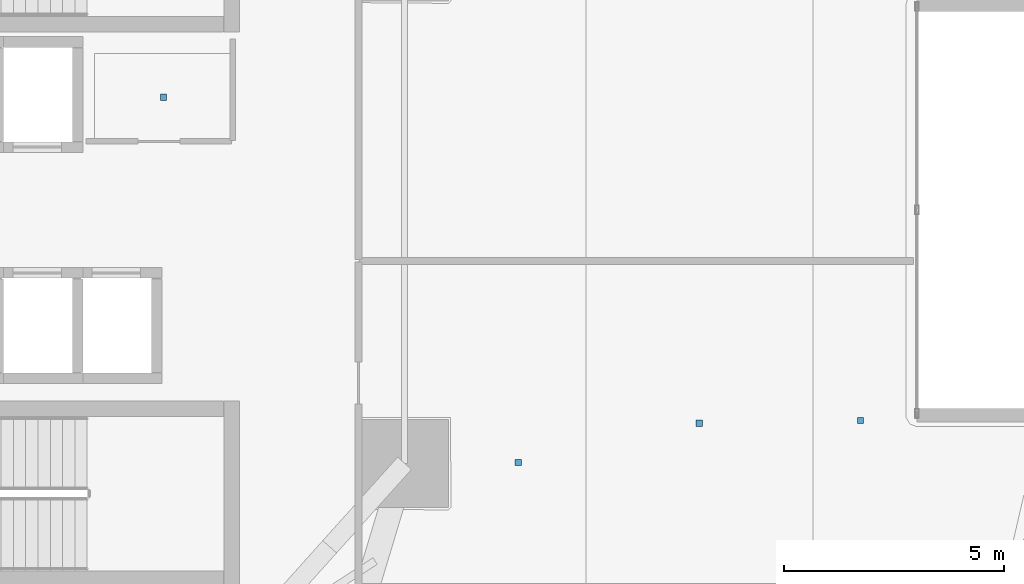
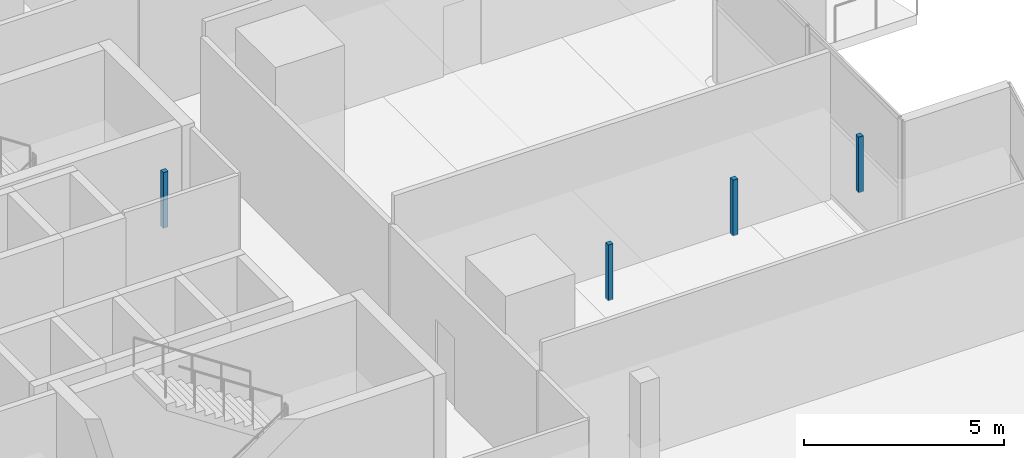
# One storey, part 27 of 36: 4 discrete accessories.
"""IFC4 building model written with IfcOpenShell, lengths in metres."""

from ifc_helpers import new_model, si_unit, direction, frame, origin, origin_2d, place, context, subcontext, project, spatial, rectangle, extrude, material, type_object, element, save


model = new_model("IFC4")

# Units and contexts
model_context = context("Model", 3, precision=1e-05, world=origin(), true_north=direction((0.0, 1.0)))
body_context = subcontext(model_context, "Body", "Model", "MODEL_VIEW")
ifc_project = project(units=[si_unit("LENGTHUNIT", "METRE"), si_unit("AREAUNIT", "SQUARE_METRE"), si_unit("VOLUMEUNIT", "CUBIC_METRE"), si_unit("PLANEANGLEUNIT", "RADIAN"), si_unit("MASSUNIT", "GRAM", prefix="KILO")], contexts=[model_context])

# Site, building, storey
site_placement = place(None, origin())
site = spatial("IfcSite", under=ifc_project, at=site_placement, CompositionType="ELEMENT")
building_placement = place(site_placement, origin())
building = spatial("IfcBuilding", under=site, at=building_placement, Name="Qorvath Tower", CompositionType="ELEMENT")
storey_placement = place(building_placement, frame((0.0, 0.0, 180.0)))
storey = spatial("IfcBuildingStorey", under=building, at=storey_placement, Name="L41", CompositionType="ELEMENT", Elevation=180.0)

# Discrete accessories
ifc_material = material(Name="Galvanised steel bracket", Category="steel")
discrete_accessory_type = type_object("IfcDiscreteAccessoryType", Name="DA-BRACKET", PredefinedType="BRACKET", material=ifc_material)
for number, where, z_axis, x_axis, name in (
    (1, (-17.572509765625, 2.5625, 2.85986328125), (0.0, 0.0, 1.0), (1.0, 0.0, 0.0), "Acoustic Ceiling Suspension Hanger T1-L41-003"),
    (2, (-9.51123046875, -5.736572265625, 2.85986328125), (0.0, 0.0, 1.0), (1.0, 0.0, 0.0), "Acoustic Ceiling Suspension Hanger T1-L41-022"),
    (3, (-5.396484375, -4.84765625, 2.85986328125), (0.0, 0.0, 1.0), (1.0, 0.0, 0.0), "Acoustic Ceiling Suspension Hanger T1-L41-023"),
    (4, (-1.734375, -4.787841796875, 2.85986328125), (0.0, 0.0, 1.0), (1.0, 0.0, 0.0), "Acoustic Ceiling Suspension Hanger T1-L41-024"),
):
    element("IfcDiscreteAccessory", number, at=place(storey_placement, frame(where, z_axis=z_axis, x_axis=x_axis)), inside=storey, type_object=discrete_accessory_type, Name=name, PredefinedType="NOTDEFINED", context=body_context, shape_type="SweptSolid", body=[
        extrude(rectangle(XDim=0.139892578125, YDim=0.139892578125, at=origin_2d()), origin(), (0.0, 0.0, 1.0), 1.699951171875),
    ])

save(model, "model.ifc")
